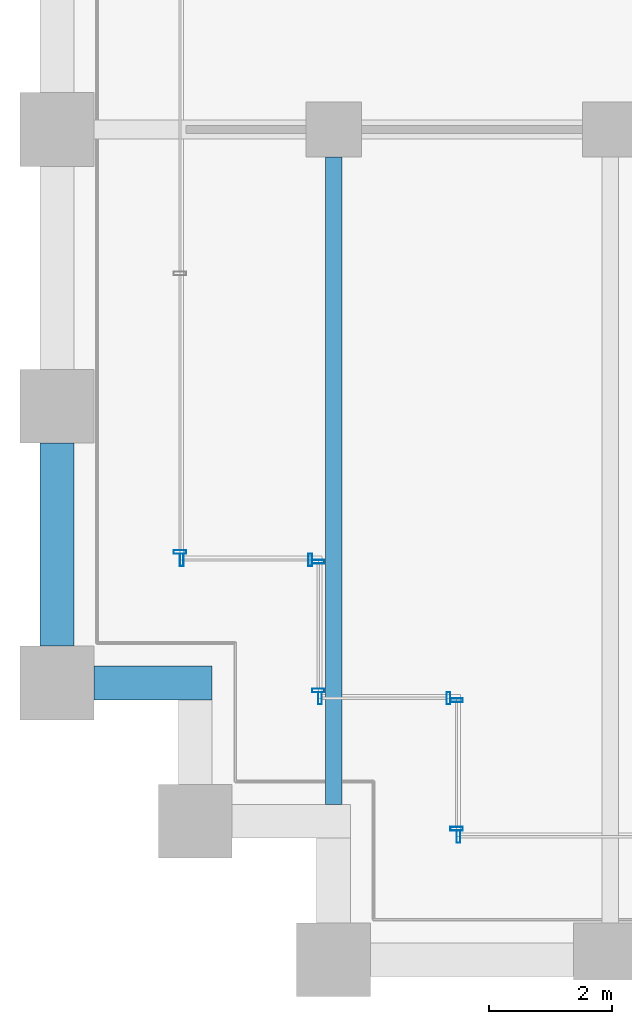
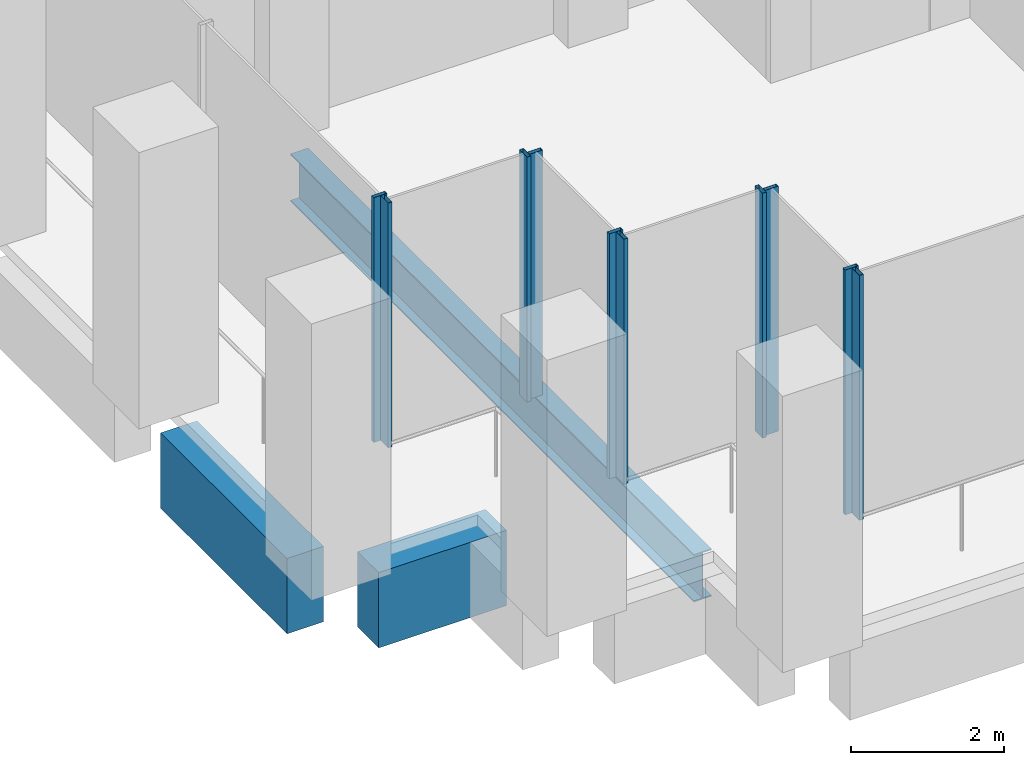
# One storey, part 2 of 36: 10 members, 3 beams, 6 elements without a shape of their own.
"""IFC4 building model written with IfcOpenShell, lengths in metres."""

from ifc_helpers import new_model, si_unit, direction, frame, origin, origin_2d, place, context, subcontext, project, spatial, rectangle, hollow_rectangle, i_section, extrude, material, material_profile, profile_set, type_object, element, aggregate, save


model = new_model("IFC4")

# Units and contexts
model_context = context("Model", 3, precision=1e-05, world=origin(), true_north=direction((0.0, 1.0)))
body_context = subcontext(model_context, "Body", "Model", "MODEL_VIEW")
ifc_project = project(units=[si_unit("LENGTHUNIT", "METRE"), si_unit("AREAUNIT", "SQUARE_METRE"), si_unit("VOLUMEUNIT", "CUBIC_METRE"), si_unit("PLANEANGLEUNIT", "RADIAN"), si_unit("MASSUNIT", "GRAM", prefix="KILO")], contexts=[model_context])

# Site, building, storey
site_placement = place(None, origin())
site = spatial("IfcSite", under=ifc_project, at=site_placement, CompositionType="ELEMENT")
building_placement = place(site_placement, origin())
building = spatial("IfcBuilding", under=site, at=building_placement, Name="Altepetl Exchange Towers", CompositionType="ELEMENT")
storey_placement = place(building_placement, frame((0.0, 0.0, 25.39990234375)))
storey = spatial("IfcBuildingStorey", under=building, at=storey_placement, Name="L05", CompositionType="ELEMENT", Elevation=25.39990234375)

# Beam
ifc_material_1 = material(Name="Steel S355", Category="steel")
ifc_material_profile_1 = material_profile(ifc_material_1, i_section(OverallWidth=0.26611328125, OverallDepth=0.758056640625, WebThickness=0.013916015625, FlangeThickness=0.019287109375, at=origin_2d()), Name="W30X108")
ifc_profile_set_1 = profile_set([ifc_material_profile_1], Name="Steel S355")
beam_type_1 = type_object("IfcBeamType", Name="Floor beam W30X108", PredefinedType="BEAM", material=ifc_profile_set_1)
beam_1_placement = place(storey_placement, frame((31.5, 29.52490234375, -0.553955078125), z_axis=(0.0, 1.0, 0.0), x_axis=(-1.0, 0.0, 0.0)))
element("IfcBeam", 1, at=beam_1_placement, inside=storey, type_object=beam_type_1, Name="bm:A:L05:012", PredefinedType="BEAM", context=body_context, shape_type="SweptSolid", body=[
    extrude(i_section(OverallWidth=0.26611328125, OverallDepth=0.758056640625, WebThickness=0.013916015625, FlangeThickness=0.019287109375, at=origin_2d()), origin(), (0.0, 0.0, 1.0), 10.525146484375),
])

# Curtain wall, member
ifc_material_2 = material(Name="Aluminium 6063-T6 glazing", Category="aluminium")
curtain_wall_type = type_object("IfcCurtainWallType", Name="Trading floor glazing system", PredefinedType="NOTDEFINED", material=ifc_material_2)
curtain_wall_1_placement = place(storey_placement, origin())
curtain_wall_1 = element("IfcCurtainWall", 2, at=curtain_wall_1_placement, inside=storey, type_object=curtain_wall_type, Name="CW2 run", PredefinedType="NOTDEFINED")
ifc_material_3 = material(Name="Aluminium 6063-T6", Category="aluminium")
ifc_material_profile_2 = material_profile(ifc_material_3, hollow_rectangle(XDim=0.06005859375, YDim=0.199951171875, WallThickness=0.0029296875, at=origin_2d()), Name="Mullion 60x200 aluminium")
ifc_profile_set_2 = profile_set([ifc_material_profile_2], Name="Aluminium 6063-T6")
member_type = type_object("IfcMemberType", Name="Mullion 60x200 aluminium", PredefinedType="MULLION", material=ifc_profile_set_2)
member_1_placement = place(storey_placement, frame((29.0, 33.6298828125, 0.0), z_axis=(0.0, 0.0, 1.0), x_axis=(0.0, -1.0, 0.0)))
member_1 = element("IfcMember", 3, at=member_1_placement, type_object=member_type, Name="MU2 mullion", PredefinedType="MULLION", context=body_context, shape_type="SweptSolid", body=[
    extrude(hollow_rectangle(XDim=0.06005859375, YDim=0.199951171875, WallThickness=0.0029296875, at=origin_2d()), origin(), (0.0, 0.0, 1.0), 3.900146484375),
])
aggregate(curtain_wall_1, [member_1])

# Curtain wall, members
curtain_wall_2_placement = place(storey_placement, origin())
curtain_wall_2 = element("IfcCurtainWall", 4, at=curtain_wall_2_placement, inside=storey, type_object=curtain_wall_type, Name="CW2 run", PredefinedType="NOTDEFINED")
member_2_placement = place(storey_placement, frame((29.030029296875, 33.5, 0.0)))
member_2 = element("IfcMember", 5, at=member_2_placement, type_object=member_type, Name="MU2 mullion", PredefinedType="MULLION", context=body_context, shape_type="SweptSolid", body=[
    extrude(hollow_rectangle(XDim=0.06005859375, YDim=0.199951171875, WallThickness=0.0029296875, at=origin_2d()), origin(), (0.0, 0.0, 1.0), 3.900146484375),
])
member_3_placement = place(storey_placement, frame((31.1201171875, 33.5, 0.0)))
member_3 = element("IfcMember", 6, at=member_3_placement, type_object=member_type, Name="MU2 mullion", PredefinedType="MULLION", context=body_context, shape_type="SweptSolid", body=[
    extrude(hollow_rectangle(XDim=0.06005859375, YDim=0.199951171875, WallThickness=0.0029296875, at=origin_2d()), origin(), (0.0, 0.0, 1.0), 3.900146484375),
])
aggregate(curtain_wall_2, [member_2, member_3])

curtain_wall_3_placement = place(storey_placement, origin())
curtain_wall_3 = element("IfcCurtainWall", 7, at=curtain_wall_3_placement, inside=storey, type_object=curtain_wall_type, Name="CW2 run", PredefinedType="NOTDEFINED")
member_4_placement = place(storey_placement, frame((31.25, 33.469970703125, 0.0), z_axis=(0.0, 0.0, 1.0), x_axis=(0.0, -1.0, 0.0)))
member_4 = element("IfcMember", 8, at=member_4_placement, type_object=member_type, Name="MU2 mullion", PredefinedType="MULLION", context=body_context, shape_type="SweptSolid", body=[
    extrude(hollow_rectangle(XDim=0.06005859375, YDim=0.199951171875, WallThickness=0.0029296875, at=origin_2d()), origin(), (0.0, 0.0, 1.0), 3.900146484375),
])
member_5_placement = place(storey_placement, frame((31.25, 31.3798828125, 0.0), z_axis=(0.0, 0.0, 1.0), x_axis=(0.0, -1.0, 0.0)))
member_5 = element("IfcMember", 9, at=member_5_placement, type_object=member_type, Name="MU2 mullion", PredefinedType="MULLION", context=body_context, shape_type="SweptSolid", body=[
    extrude(hollow_rectangle(XDim=0.06005859375, YDim=0.199951171875, WallThickness=0.0029296875, at=origin_2d()), origin(), (0.0, 0.0, 1.0), 3.900146484375),
])
aggregate(curtain_wall_3, [member_4, member_5])

curtain_wall_4_placement = place(storey_placement, origin())
curtain_wall_4 = element("IfcCurtainWall", 10, at=curtain_wall_4_placement, inside=storey, type_object=curtain_wall_type, Name="CW2 run", PredefinedType="NOTDEFINED")
member_6_placement = place(storey_placement, frame((31.280029296875, 31.25, 0.0)))
member_6 = element("IfcMember", 11, at=member_6_placement, type_object=member_type, Name="MU2 mullion", PredefinedType="MULLION", context=body_context, shape_type="SweptSolid", body=[
    extrude(hollow_rectangle(XDim=0.06005859375, YDim=0.199951171875, WallThickness=0.0029296875, at=origin_2d()), origin(), (0.0, 0.0, 1.0), 3.900146484375),
])
member_7_placement = place(storey_placement, frame((33.3701171875, 31.25, 0.0)))
member_7 = element("IfcMember", 12, at=member_7_placement, type_object=member_type, Name="MU2 mullion", PredefinedType="MULLION", context=body_context, shape_type="SweptSolid", body=[
    extrude(hollow_rectangle(XDim=0.06005859375, YDim=0.199951171875, WallThickness=0.0029296875, at=origin_2d()), origin(), (0.0, 0.0, 1.0), 3.900146484375),
])
aggregate(curtain_wall_4, [member_6, member_7])

curtain_wall_5_placement = place(storey_placement, origin())
curtain_wall_5 = element("IfcCurtainWall", 13, at=curtain_wall_5_placement, inside=storey, type_object=curtain_wall_type, Name="CW2 run", PredefinedType="NOTDEFINED")
member_8_placement = place(storey_placement, frame((33.5, 31.219970703125, 0.0), z_axis=(0.0, 0.0, 1.0), x_axis=(0.0, -1.0, 0.0)))
member_8 = element("IfcMember", 14, at=member_8_placement, type_object=member_type, Name="MU2 mullion", PredefinedType="MULLION", context=body_context, shape_type="SweptSolid", body=[
    extrude(hollow_rectangle(XDim=0.06005859375, YDim=0.199951171875, WallThickness=0.0029296875, at=origin_2d()), origin(), (0.0, 0.0, 1.0), 3.900146484375),
])
member_9_placement = place(storey_placement, frame((33.5, 29.1298828125, 0.0), z_axis=(0.0, 0.0, 1.0), x_axis=(0.0, -1.0, 0.0)))
member_9 = element("IfcMember", 15, at=member_9_placement, type_object=member_type, Name="MU2 mullion", PredefinedType="MULLION", context=body_context, shape_type="SweptSolid", body=[
    extrude(hollow_rectangle(XDim=0.06005859375, YDim=0.199951171875, WallThickness=0.0029296875, at=origin_2d()), origin(), (0.0, 0.0, 1.0), 3.900146484375),
])
aggregate(curtain_wall_5, [member_8, member_9])

# Curtain wall, member
curtain_wall_6_placement = place(storey_placement, origin())
curtain_wall_6 = element("IfcCurtainWall", 16, at=curtain_wall_6_placement, inside=storey, type_object=curtain_wall_type, Name="CW2 run", PredefinedType="NOTDEFINED")
member_10_placement = place(storey_placement, frame((33.530029296875, 29.0, 0.0)))
member_10 = element("IfcMember", 17, at=member_10_placement, type_object=member_type, Name="MU2 mullion", PredefinedType="MULLION", context=body_context, shape_type="SweptSolid", body=[
    extrude(hollow_rectangle(XDim=0.06005859375, YDim=0.199951171875, WallThickness=0.0029296875, at=origin_2d()), origin(), (0.0, 0.0, 1.0), 3.900146484375),
])
aggregate(curtain_wall_6, [member_10])

# Beams
ifc_material_4 = material(Name="Concrete C50/60 precast with cantera blanca facing", Category="concrete")
ifc_material_profile_3 = material_profile(ifc_material_4, rectangle(XDim=0.550048828125, YDim=1.199951171875, at=origin_2d()), Name="550 x 1200")
ifc_profile_set_3 = profile_set([ifc_material_profile_3], Name="Concrete C50/60 precast with cantera blanca facing")
beam_type_2 = type_object("IfcBeamType", Name="Spandrel beam 550x1200 cantera blanca", PredefinedType="SPANDREL", material=ifc_profile_set_3)
beam_2_placement = place(storey_placement, frame((27.0, 35.39990234375, -0.77490234375), z_axis=(0.0, -1.0, 0.0), x_axis=(1.0, 0.0, 0.0)))
element("IfcBeam", 18, at=beam_2_placement, inside=storey, type_object=beam_type_2, Name="sp:A:L05:043", PredefinedType="SPANDREL", context=body_context, shape_type="SweptSolid", body=[
    extrude(rectangle(XDim=0.550048828125, YDim=1.199951171875, at=origin_2d()), origin(), (0.0, 0.0, 1.0), 3.2998046875),
])
beam_3_placement = place(storey_placement, frame((27.60009765625, 31.5, -0.77490234375), z_axis=(1.0, 0.0, 0.0), x_axis=(0.0, 1.0, 0.0)))
element("IfcBeam", 19, at=beam_3_placement, inside=storey, type_object=beam_type_2, Name="sp:A:L05:044", PredefinedType="SPANDREL", context=body_context, shape_type="SweptSolid", body=[
    extrude(rectangle(XDim=0.550048828125, YDim=1.199951171875, at=origin_2d()), origin(), (0.0, 0.0, 1.0), 1.9248046875),
])

save(model, "model.ifc")
